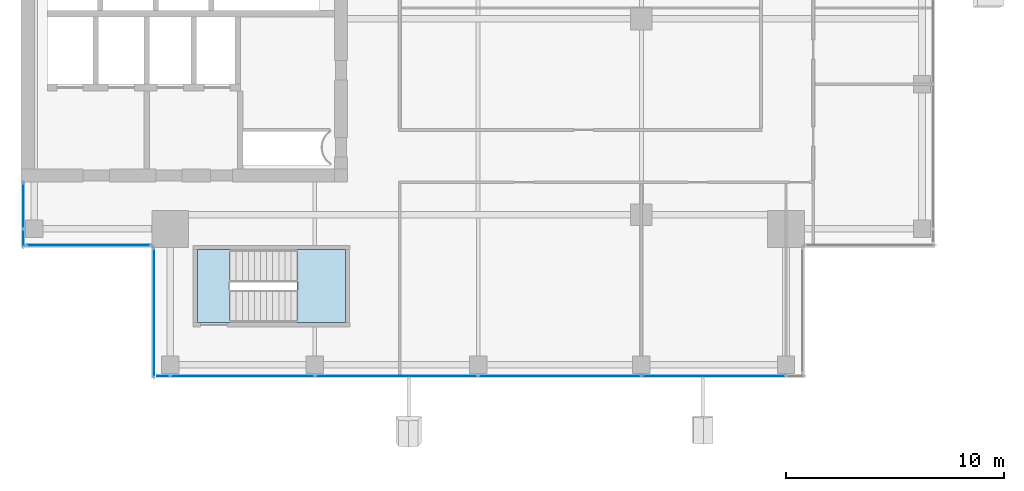
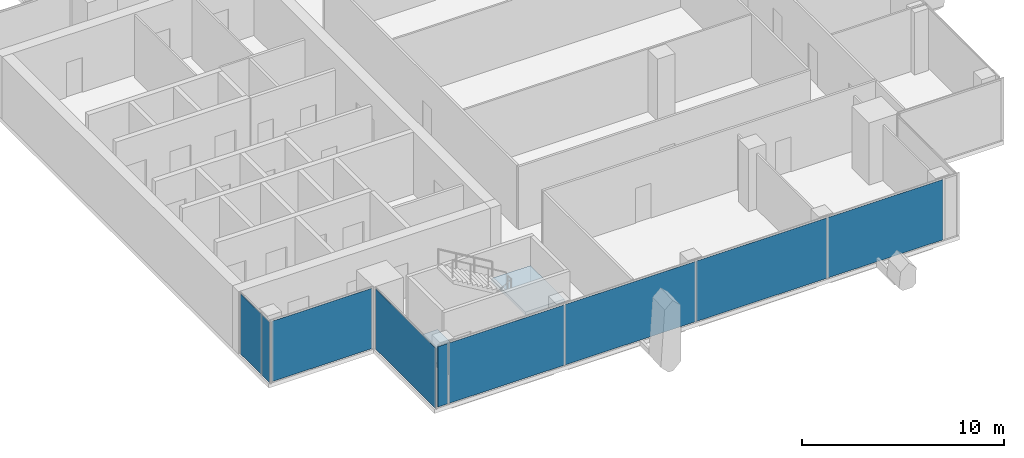
# One storey, part 18 of 28: 9 plates, 2 slabs, 5 elements without a shape of their own.
"""IFC4 building model written with IfcOpenShell, lengths in metres."""

from ifc_helpers import new_model, si_unit, direction, frame, origin, origin_2d, place, context, subcontext, project, spatial, polyline, rectangle, outline, extrude, source, transform, mapped, material, layer, layer_set, type_object, element, aggregate, save


model = new_model("IFC4")

# Units and contexts
model_context = context("Model", 3, precision=1e-05, world=origin(), true_north=direction((0.0, 1.0)))
body_context = subcontext(model_context, "Body", "Model", "MODEL_VIEW")
ifc_project = project(units=[si_unit("LENGTHUNIT", "METRE"), si_unit("AREAUNIT", "SQUARE_METRE"), si_unit("VOLUMEUNIT", "CUBIC_METRE"), si_unit("PLANEANGLEUNIT", "RADIAN"), si_unit("MASSUNIT", "GRAM", prefix="KILO")], contexts=[model_context])

# Site, building, storey
site_placement = place(None, origin())
site = spatial("IfcSite", under=ifc_project, at=site_placement, CompositionType="ELEMENT")
building_placement = place(site_placement, origin())
building = spatial("IfcBuilding", under=site, at=building_placement, Name="Khomas Fold Tower", CompositionType="ELEMENT")
storey_placement = place(building_placement, frame((0.0, 0.0, 298.199951171875)))
storey = spatial("IfcBuildingStorey", under=building, at=storey_placement, Name="L67", CompositionType="ELEMENT", Elevation=298.199951171875)

# Curtain wall, plates
ifc_material_1 = material(Name="Aluminium framed double glazing", Category="aluminium")
curtain_wall_type = type_object("IfcCurtainWallType", Name="SK-Unitised clear-glass wall, upper floors CW3", PredefinedType="NOTDEFINED", material=ifc_material_1)
curtain_wall_1_placement = place(storey_placement, origin())
curtain_wall_1 = element("IfcCurtainWall", 1, at=curtain_wall_1_placement, inside=storey, type_object=curtain_wall_type, Name="CW3 run L67 00-0", PredefinedType="NOTDEFINED")
ifc_material_2 = material(Name="Clear double glazed unit")
ifc_layer_1 = layer(ifc_material_2, 0.028076171875)
ifc_layer_set_1 = layer_set([ifc_layer_1], Name="Clear double glazed unit")
plate_type = type_object("IfcPlateType", Name="SK-Unitised clear-glass wall, upper floors glass panel CW3-P", PredefinedType="CURTAIN_PANEL", material=ifc_layer_set_1)
shared_shape_1 = source(origin(), body_context, "Body", "SweptSolid", [
    extrude(rectangle(XDim=0.574951171875, YDim=0.028076171875, at=origin_2d()), origin(), (0.0, 0.0, 1.0), 3.64990234375),
])
plate_1_placement = place(storey_placement, frame((12.53759765625, 6.10009765625, 0.0), z_axis=(0.0, 0.0, 1.0), x_axis=(1.0, 0.0, 0.0)))
plate_1 = element("IfcPlate", 2, at=plate_1_placement, type_object=plate_type, Name="CW3 glass panel 1", PredefinedType="CURTAIN_PANEL", context=body_context, shape_type="MappedRepresentation", body=[
    mapped(shared_shape_1, transform((0.0, 0.0, 0.0))),
])
shared_shape_2 = source(origin(), body_context, "Body", "SweptSolid", [
    extrude(rectangle(XDim=6.60009765625, YDim=0.028076171875, at=origin_2d()), origin(), (0.0, 0.0, 1.0), 3.64990234375),
])
plate_2_placement = place(storey_placement, frame((16.175048828125, 6.10009765625, 0.0), z_axis=(0.0, 0.0, 1.0), x_axis=(1.0, 0.0, 0.0)))
plate_2 = element("IfcPlate", 3, at=plate_2_placement, type_object=plate_type, Name="CW3 glass panel 2", PredefinedType="CURTAIN_PANEL", context=body_context, shape_type="MappedRepresentation", body=[
    mapped(shared_shape_2, transform((0.0, 0.0, 0.0))),
])
plate_3_placement = place(storey_placement, frame((37.824951171875, 6.10009765625, 0.0), z_axis=(0.0, 0.0, 1.0), x_axis=(1.0, 0.0, 0.0)))
plate_3 = element("IfcPlate", 4, at=plate_3_placement, type_object=plate_type, Name="CW3 glass panel 5", PredefinedType="CURTAIN_PANEL", context=body_context, shape_type="MappedRepresentation", body=[
    mapped(shared_shape_2, transform((0.0, 0.0, 0.0))),
])
shared_shape_3 = source(origin(), body_context, "Body", "SweptSolid", [
    extrude(rectangle(XDim=7.449951171875, YDim=0.028076171875, at=origin_2d()), origin(), (0.0, 0.0, 1.0), 3.64990234375),
])
plate_4_placement = place(storey_placement, frame((23.25, 6.10009765625, 0.0), z_axis=(0.0, 0.0, 1.0), x_axis=(1.0, 0.0, 0.0)))
plate_4 = element("IfcPlate", 5, at=plate_4_placement, type_object=plate_type, Name="CW3 glass panel 3", PredefinedType="CURTAIN_PANEL", context=body_context, shape_type="MappedRepresentation", body=[
    mapped(shared_shape_3, transform((0.0, 0.0, 0.0))),
])
plate_5_placement = place(storey_placement, frame((30.75, 6.10009765625, 0.0), z_axis=(0.0, 0.0, 1.0), x_axis=(1.0, 0.0, 0.0)))
plate_5 = element("IfcPlate", 6, at=plate_5_placement, type_object=plate_type, Name="CW3 glass panel 4", PredefinedType="CURTAIN_PANEL", context=body_context, shape_type="MappedRepresentation", body=[
    mapped(shared_shape_3, transform((0.0, 0.0, 0.0))),
])
aggregate(curtain_wall_1, [plate_1, plate_2, plate_4, plate_5, plate_3])

# Curtain wall, plate
curtain_wall_2_placement = place(storey_placement, origin())
curtain_wall_2 = element("IfcCurtainWall", 7, at=curtain_wall_2_placement, inside=storey, type_object=curtain_wall_type, Name="CW3 run L67 09-1", PredefinedType="NOTDEFINED")
shared_shape_4 = source(origin(), body_context, "Body", "SweptSolid", [
    extrude(rectangle(XDim=0.77490234375, YDim=0.028076171875, at=origin_2d()), origin(), (0.0, 0.0, 1.0), 3.64990234375),
])
plate_6_placement = place(storey_placement, frame((6.10009765625, 12.4375, 0.0), z_axis=(0.0, 0.0, 1.0), x_axis=(0.0, -1.0, 0.0)))
plate_6 = element("IfcPlate", 8, at=plate_6_placement, type_object=plate_type, Name="CW3 glass panel 2", PredefinedType="CURTAIN_PANEL", context=body_context, shape_type="MappedRepresentation", body=[
    mapped(shared_shape_4, transform((0.0, 0.0, 0.0))),
])

curtain_wall_3_placement = place(storey_placement, origin())
curtain_wall_3 = element("IfcCurtainWall", 9, at=curtain_wall_3_placement, inside=storey, type_object=curtain_wall_type, Name="CW3 corner return L67 10", PredefinedType="NOTDEFINED")
shared_shape_5 = source(origin(), body_context, "Body", "SweptSolid", [
    extrude(rectangle(XDim=5.699951171875, YDim=0.028076171875, at=origin_2d()), origin(), (0.0, 0.0, 1.0), 3.64990234375),
])
plate_7_placement = place(storey_placement, frame((9.10009765625, 12.10009765625, 0.0), z_axis=(0.0, 0.0, 1.0), x_axis=(1.0, 0.0, 0.0)))
plate_7 = element("IfcPlate", 10, at=plate_7_placement, type_object=plate_type, Name="CW3 glass panel 1", PredefinedType="CURTAIN_PANEL", context=body_context, shape_type="MappedRepresentation", body=[
    mapped(shared_shape_5, transform((0.0, 0.0, 0.0))),
])
aggregate(curtain_wall_3, [plate_7])

curtain_wall_4_placement = place(storey_placement, origin())
curtain_wall_4 = element("IfcCurtainWall", 11, at=curtain_wall_4_placement, inside=storey, type_object=curtain_wall_type, Name="CW3 corner return L67 11", PredefinedType="NOTDEFINED")
shared_shape_6 = source(origin(), body_context, "Body", "SweptSolid", [
    extrude(rectangle(XDim=5.89990234375, YDim=0.028076171875, at=origin_2d()), origin(), (0.0, 0.0, 1.0), 3.64990234375),
])
plate_8_placement = place(storey_placement, frame((12.10009765625, 9.0, 0.0), z_axis=(0.0, 0.0, 1.0), x_axis=(0.0, -1.0, 0.0)))
plate_8 = element("IfcPlate", 12, at=plate_8_placement, type_object=plate_type, Name="CW3 glass panel 1", PredefinedType="CURTAIN_PANEL", context=body_context, shape_type="MappedRepresentation", body=[
    mapped(shared_shape_6, transform((0.0, 0.0, 0.0))),
])
aggregate(curtain_wall_4, [plate_8])

# Plate
shared_shape_7 = source(origin(), body_context, "Body", "SweptSolid", [
    extrude(rectangle(XDim=2.074951171875, YDim=0.028076171875, at=origin_2d()), origin(), (0.0, 0.0, 1.0), 3.64990234375),
])
plate_9_placement = place(storey_placement, frame((6.10009765625, 13.91259765625, 0.0), z_axis=(0.0, 0.0, 1.0), x_axis=(0.0, -1.0, 0.0)))
plate_9 = element("IfcPlate", 13, at=plate_9_placement, type_object=plate_type, Name="CW3 glass panel 1", PredefinedType="CURTAIN_PANEL", context=body_context, shape_type="MappedRepresentation", body=[
    mapped(shared_shape_7, transform((0.0, 0.0, 0.0))),
])

aggregate(curtain_wall_2, [plate_9, plate_6])

# Stair, slab
ifc_material_3 = material(Name="Concrete C40/50", Category="concrete")
stair_type = type_object("IfcStairType", Name="Stair ST2", PredefinedType="HALF_TURN_STAIR", material=ifc_material_3)
stair_placement = place(storey_placement, origin())
stair = element("IfcStair", 14, at=stair_placement, inside=storey, type_object=stair_type, Name="L67 ST2", PredefinedType="HALF_TURN_STAIR")
ifc_material_4 = material(Name="Concrete C40/50", Category="concrete")
ifc_layer_2 = layer(ifc_material_4, 0.199951171875)
ifc_layer_set_2 = layer_set([ifc_layer_2], Name="Concrete C40/50")
slab_type_1 = type_object("IfcSlabType", Name="Stair landing 200", PredefinedType="LANDING", material=ifc_layer_set_2)
shared_shape_8 = source(origin(), body_context, "Body", "SweptSolid", [
    extrude(outline(polyline([(18.679931640625, 8.550048828125), (20.89990234375, 8.550048828125), (20.89990234375, 11.89990234375), (18.679931640625, 11.89990234375), (18.679931640625, 8.550048828125)])), origin(), (0.0, 0.0, 1.0), 0.199951171875),
])
slab_1_placement = place(storey_placement, frame((0.0, 0.0, 1.800048828125)))
slab_1 = element("IfcSlab", 15, at=slab_1_placement, type_object=slab_type_1, Name="ST2 landing 1", PredefinedType="LANDING", context=body_context, shape_type="MappedRepresentation", body=[
    mapped(shared_shape_8, transform((0.0, 0.0, 0.0))),
])
aggregate(stair, [slab_1])

# Slab
ifc_material_5 = material(Name="Concrete C40/50", Category="concrete")
ifc_layer_3 = layer(ifc_material_5, 0.25)
ifc_layer_set_3 = layer_set([ifc_layer_3], Name="Concrete C40/50")
slab_type_2 = type_object("IfcSlabType", Name="Stair floor landing 250", PredefinedType="LANDING", material=ifc_layer_set_3)
shared_shape_9 = source(origin(), body_context, "Body", "SweptSolid", [
    extrude(outline(polyline([(15.60009765625, 8.550048828125), (14.10009765625, 8.550048828125), (14.10009765625, 11.89990234375), (15.60009765625, 11.89990234375), (15.60009765625, 8.550048828125)])), origin(), (0.0, 0.0, 1.0), 0.25),
])
slab_2_placement = place(storey_placement, frame((0.0, 0.0, -0.25)))
element("IfcSlab", 16, at=slab_2_placement, inside=storey, type_object=slab_type_2, Name="ST2 floor landing", PredefinedType="LANDING", context=body_context, shape_type="MappedRepresentation", body=[
    mapped(shared_shape_9, transform((0.0, 0.0, 0.0))),
])

save(model, "model.ifc")
